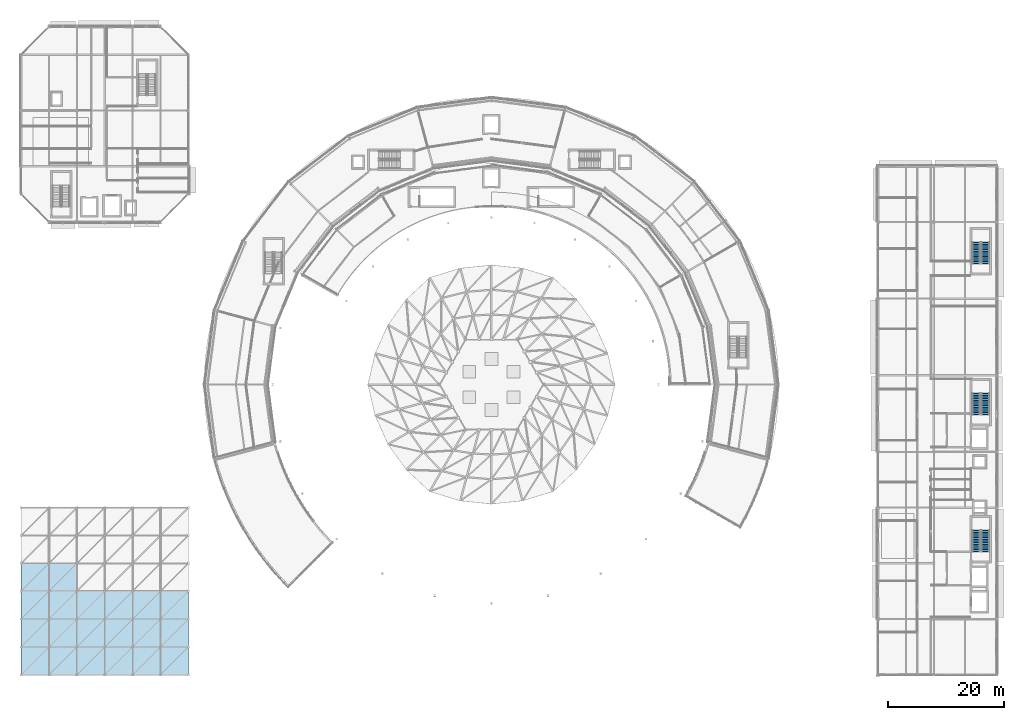
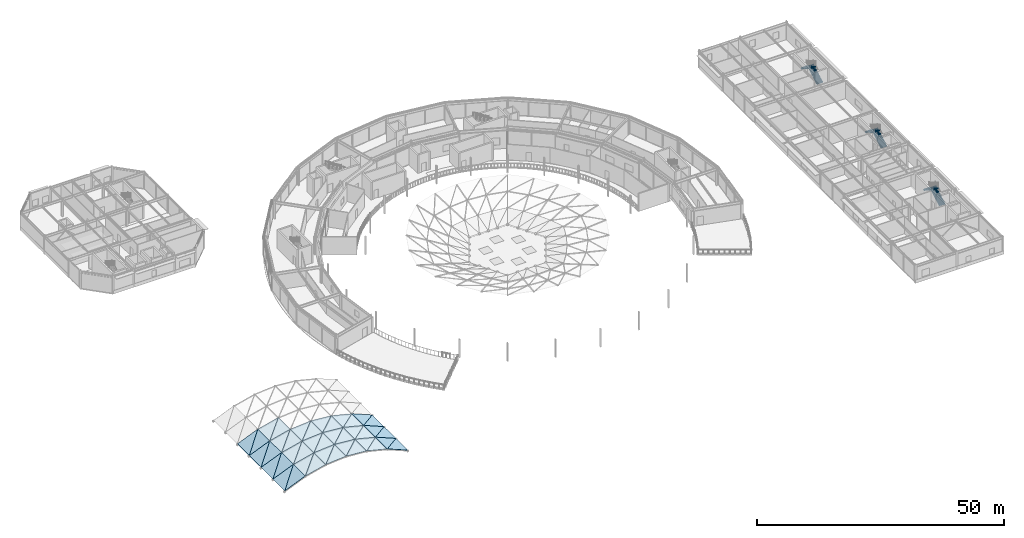
# One storey, part 92 of 116: 40 roofs, 6 stair flights, 3 elements without a shape of their own.
"""IFC4 building model written with IfcOpenShell, lengths in metres."""

from ifc_helpers import new_model, si_unit, direction, frame, origin, place, context, subcontext, project, spatial, polyline, outline, extrude, material, layer, layer_set, type_object, element, aggregate, save


model = new_model("IFC4")

# Units and contexts
model_context = context("Model", 3, precision=1e-05, world=origin(), true_north=direction((0.0, 1.0)))
body_context = subcontext(model_context, "Body", "Model", "MODEL_VIEW")
ifc_project = project(units=[si_unit("LENGTHUNIT", "METRE"), si_unit("AREAUNIT", "SQUARE_METRE"), si_unit("VOLUMEUNIT", "CUBIC_METRE"), si_unit("PLANEANGLEUNIT", "RADIAN"), si_unit("MASSUNIT", "GRAM", prefix="KILO")], contexts=[model_context])

# Site, building, storey
site_placement = place(None, origin())
site = spatial("IfcSite", under=ifc_project, at=site_placement, CompositionType="ELEMENT")
building_placement = place(site_placement, origin())
building = spatial("IfcBuilding", under=site, at=building_placement, Name="Almandine Court Research Institute", CompositionType="ELEMENT")
storey_placement = place(building_placement, frame((0.0, 0.0, 14.35009765625)))
storey = spatial("IfcBuildingStorey", under=building, at=storey_placement, Name="L03", CompositionType="ELEMENT", Elevation=14.35009765625)

# Stair, stair flights
ifc_material_1 = material(Name="Concrete C35/45", Category="concrete")
stair_type = type_object("IfcStairType", Name="Stair-Core-26R", PredefinedType="HALF_TURN_STAIR", material=ifc_material_1)
stair_1_placement = place(storey_placement, origin())
stair_1 = element("IfcStair", 1, at=stair_1_placement, inside=storey, type_object=stair_type, Name="L03 Wet Lab South High-Rise Core Stair", PredefinedType="HALF_TURN_STAIR")
stair_flight_type = type_object("IfcStairFlightType", Name="Flight-Core-26R", PredefinedType="STRAIGHT", material=ifc_material_1)
stair_flight_1_placement = place(storey_placement, frame((172.090087890625, 27.25, 0.0), z_axis=(0.0, 0.0, 1.0), x_axis=(0.0, 1.0, 0.0)))
stair_flight_1 = element("IfcStairFlight", 2, at=stair_flight_1_placement, type_object=stair_flight_type, Name="ST-07 flight 1", NumberOfRisers=13, NumberOfTreads=12, PredefinedType="STRAIGHT", RiserHeight=0.175, TreadLength=0.3, context=body_context, shape_type="SweptSolid", body=[
    extrude(outline(polyline([(-0.080078125, -0.139892578125), (-0.080078125, 0.0), (0.0, 0.0), (0.0, 0.175048828125), (0.300048828125, 0.175048828125), (0.300048828125, 0.35009765625), (0.60009765625, 0.35009765625), (0.60009765625, 0.52490234375), (0.89990234375, 0.52490234375), (0.89990234375, 0.699951171875), (1.199951171875, 0.699951171875), (1.199951171875, 0.875), (1.5, 0.875), (1.5, 1.050048828125), (1.800048828125, 1.050048828125), (1.800048828125, 1.22509765625), (2.10009765625, 1.22509765625), (2.10009765625, 1.39990234375), (2.39990234375, 1.39990234375), (2.39990234375, 1.574951171875), (2.699951171875, 1.574951171875), (2.699951171875, 1.75), (3.0, 1.75), (3.0, 1.925048828125), (3.300048828125, 1.925048828125), (3.300048828125, 2.10009765625), (3.60009765625, 2.10009765625), (3.60009765625, 2.27490234375), (3.679931640625, 2.27490234375), (3.679931640625, 2.114990234375), (3.60009765625, 1.914794921875), (0.3173828125, 0.0), (0.3173828125, -0.139892578125), (-0.080078125, -0.139892578125)])), frame((0.0, 0.7099609375, 0.0), z_axis=(0.0, -1.0, 0.0), x_axis=(1.0, 0.0, 0.0)), (0.0, 0.0, 1.0), 1.419921875),
])
stair_flight_2_placement = place(storey_placement, frame((170.510009765625, 30.85009765625, 2.27490234375), z_axis=(0.0, 0.0, 1.0), x_axis=(0.0, -1.0, 0.0)))
stair_flight_2 = element("IfcStairFlight", 3, at=stair_flight_2_placement, type_object=stair_flight_type, Name="ST-07 flight 2", NumberOfRisers=13, NumberOfTreads=12, PredefinedType="STRAIGHT", RiserHeight=0.175, TreadLength=0.3, context=body_context, shape_type="SweptSolid", body=[
    extrude(outline(polyline([(-0.080078125, -0.139892578125), (-0.080078125, 0.0), (0.0, 0.0), (0.0, 0.175048828125), (0.300048828125, 0.175048828125), (0.300048828125, 0.35009765625), (0.60009765625, 0.35009765625), (0.60009765625, 0.52490234375), (0.89990234375, 0.52490234375), (0.89990234375, 0.699951171875), (1.199951171875, 0.699951171875), (1.199951171875, 0.875), (1.5, 0.875), (1.5, 1.050048828125), (1.800048828125, 1.050048828125), (1.800048828125, 1.22509765625), (2.10009765625, 1.22509765625), (2.10009765625, 1.39990234375), (2.39990234375, 1.39990234375), (2.39990234375, 1.574951171875), (2.699951171875, 1.574951171875), (2.699951171875, 1.75), (3.0, 1.75), (3.0, 1.925048828125), (3.300048828125, 1.925048828125), (3.300048828125, 2.10009765625), (3.60009765625, 2.10009765625), (3.60009765625, 2.27490234375), (3.679931640625, 2.27490234375), (3.679931640625, 2.114990234375), (3.60009765625, 1.914794921875), (0.3173828125, 0.0), (0.3173828125, -0.139892578125), (-0.080078125, -0.139892578125)])), frame((0.0, 0.7099609375, 0.0), z_axis=(0.0, -1.0, 0.0), x_axis=(1.0, 0.0, 0.0)), (0.0, 0.0, 1.0), 1.419921875),
])
aggregate(stair_1, [stair_flight_1, stair_flight_2])

stair_2_placement = place(storey_placement, origin())
stair_2 = element("IfcStair", 4, at=stair_2_placement, inside=storey, type_object=stair_type, Name="L03 Wet Lab Central High-Rise Core Stair", PredefinedType="HALF_TURN_STAIR")
stair_flight_3_placement = place(storey_placement, frame((172.090087890625, 50.85009765625, 0.0), z_axis=(0.0, 0.0, 1.0), x_axis=(0.0, 1.0, 0.0)))
stair_flight_3 = element("IfcStairFlight", 5, at=stair_flight_3_placement, type_object=stair_flight_type, Name="ST-08 flight 1", NumberOfRisers=13, NumberOfTreads=12, PredefinedType="STRAIGHT", RiserHeight=0.175, TreadLength=0.3, context=body_context, shape_type="SweptSolid", body=[
    extrude(outline(polyline([(-0.080078125, -0.139892578125), (-0.080078125, 0.0), (0.0, 0.0), (0.0, 0.175048828125), (0.300048828125, 0.175048828125), (0.300048828125, 0.35009765625), (0.60009765625, 0.35009765625), (0.60009765625, 0.52490234375), (0.89990234375, 0.52490234375), (0.89990234375, 0.699951171875), (1.199951171875, 0.699951171875), (1.199951171875, 0.875), (1.5, 0.875), (1.5, 1.050048828125), (1.800048828125, 1.050048828125), (1.800048828125, 1.22509765625), (2.10009765625, 1.22509765625), (2.10009765625, 1.39990234375), (2.39990234375, 1.39990234375), (2.39990234375, 1.574951171875), (2.699951171875, 1.574951171875), (2.699951171875, 1.75), (3.0, 1.75), (3.0, 1.925048828125), (3.300048828125, 1.925048828125), (3.300048828125, 2.10009765625), (3.60009765625, 2.10009765625), (3.60009765625, 2.27490234375), (3.679931640625, 2.27490234375), (3.679931640625, 2.114990234375), (3.60009765625, 1.914794921875), (0.3173828125, 0.0), (0.3173828125, -0.139892578125), (-0.080078125, -0.139892578125)])), frame((0.0, 0.7099609375, 0.0), z_axis=(0.0, -1.0, 0.0), x_axis=(1.0, 0.0, 0.0)), (0.0, 0.0, 1.0), 1.419921875),
])
stair_flight_4_placement = place(storey_placement, frame((170.510009765625, 54.449951171875, 2.27490234375), z_axis=(0.0, 0.0, 1.0), x_axis=(0.0, -1.0, 0.0)))
stair_flight_4 = element("IfcStairFlight", 6, at=stair_flight_4_placement, type_object=stair_flight_type, Name="ST-08 flight 2", NumberOfRisers=13, NumberOfTreads=12, PredefinedType="STRAIGHT", RiserHeight=0.175, TreadLength=0.3, context=body_context, shape_type="SweptSolid", body=[
    extrude(outline(polyline([(-0.080078125, -0.139892578125), (-0.080078125, 0.0), (0.0, 0.0), (0.0, 0.175048828125), (0.300048828125, 0.175048828125), (0.300048828125, 0.35009765625), (0.60009765625, 0.35009765625), (0.60009765625, 0.52490234375), (0.89990234375, 0.52490234375), (0.89990234375, 0.699951171875), (1.199951171875, 0.699951171875), (1.199951171875, 0.875), (1.5, 0.875), (1.5, 1.050048828125), (1.800048828125, 1.050048828125), (1.800048828125, 1.22509765625), (2.10009765625, 1.22509765625), (2.10009765625, 1.39990234375), (2.39990234375, 1.39990234375), (2.39990234375, 1.574951171875), (2.699951171875, 1.574951171875), (2.699951171875, 1.75), (3.0, 1.75), (3.0, 1.925048828125), (3.300048828125, 1.925048828125), (3.300048828125, 2.10009765625), (3.60009765625, 2.10009765625), (3.60009765625, 2.27490234375), (3.679931640625, 2.27490234375), (3.679931640625, 2.114990234375), (3.60009765625, 1.914794921875), (0.3173828125, 0.0), (0.3173828125, -0.139892578125), (-0.080078125, -0.139892578125)])), frame((0.0, 0.7099609375, 0.0), z_axis=(0.0, -1.0, 0.0), x_axis=(1.0, 0.0, 0.0)), (0.0, 0.0, 1.0), 1.419921875),
])
aggregate(stair_2, [stair_flight_3, stair_flight_4])

stair_3_placement = place(storey_placement, origin())
stair_3 = element("IfcStair", 7, at=stair_3_placement, inside=storey, type_object=stair_type, Name="L03 Wet Lab North Exit Stair", PredefinedType="HALF_TURN_STAIR")
stair_flight_5_placement = place(storey_placement, frame((172.090087890625, 76.85009765625, 0.0), z_axis=(0.0, 0.0, 1.0), x_axis=(0.0, 1.0, 0.0)))
stair_flight_5 = element("IfcStairFlight", 8, at=stair_flight_5_placement, type_object=stair_flight_type, Name="ST-13 flight 1", NumberOfRisers=13, NumberOfTreads=12, PredefinedType="STRAIGHT", RiserHeight=0.175, TreadLength=0.3, context=body_context, shape_type="SweptSolid", body=[
    extrude(outline(polyline([(-0.080078125, -0.139892578125), (-0.080078125, 0.0), (0.0, 0.0), (0.0, 0.175048828125), (0.300048828125, 0.175048828125), (0.300048828125, 0.35009765625), (0.60009765625, 0.35009765625), (0.60009765625, 0.52490234375), (0.89990234375, 0.52490234375), (0.89990234375, 0.699951171875), (1.199951171875, 0.699951171875), (1.199951171875, 0.875), (1.5, 0.875), (1.5, 1.050048828125), (1.800048828125, 1.050048828125), (1.800048828125, 1.22509765625), (2.10009765625, 1.22509765625), (2.10009765625, 1.39990234375), (2.39990234375, 1.39990234375), (2.39990234375, 1.574951171875), (2.699951171875, 1.574951171875), (2.699951171875, 1.75), (3.0, 1.75), (3.0, 1.925048828125), (3.300048828125, 1.925048828125), (3.300048828125, 2.10009765625), (3.60009765625, 2.10009765625), (3.60009765625, 2.27490234375), (3.679931640625, 2.27490234375), (3.679931640625, 2.114990234375), (3.60009765625, 1.914794921875), (0.3173828125, 0.0), (0.3173828125, -0.139892578125), (-0.080078125, -0.139892578125)])), frame((0.0, 0.7099609375, 0.0), z_axis=(0.0, -1.0, 0.0), x_axis=(1.0, 0.0, 0.0)), (0.0, 0.0, 1.0), 1.419921875),
])
stair_flight_6_placement = place(storey_placement, frame((170.510009765625, 80.449951171875, 2.27490234375), z_axis=(0.0, 0.0, 1.0), x_axis=(0.0, -1.0, 0.0)))
stair_flight_6 = element("IfcStairFlight", 9, at=stair_flight_6_placement, type_object=stair_flight_type, Name="ST-13 flight 2", NumberOfRisers=13, NumberOfTreads=12, PredefinedType="STRAIGHT", RiserHeight=0.175, TreadLength=0.3, context=body_context, shape_type="SweptSolid", body=[
    extrude(outline(polyline([(-0.080078125, -0.139892578125), (-0.080078125, 0.0), (0.0, 0.0), (0.0, 0.175048828125), (0.300048828125, 0.175048828125), (0.300048828125, 0.35009765625), (0.60009765625, 0.35009765625), (0.60009765625, 0.52490234375), (0.89990234375, 0.52490234375), (0.89990234375, 0.699951171875), (1.199951171875, 0.699951171875), (1.199951171875, 0.875), (1.5, 0.875), (1.5, 1.050048828125), (1.800048828125, 1.050048828125), (1.800048828125, 1.22509765625), (2.10009765625, 1.22509765625), (2.10009765625, 1.39990234375), (2.39990234375, 1.39990234375), (2.39990234375, 1.574951171875), (2.699951171875, 1.574951171875), (2.699951171875, 1.75), (3.0, 1.75), (3.0, 1.925048828125), (3.300048828125, 1.925048828125), (3.300048828125, 2.10009765625), (3.60009765625, 2.10009765625), (3.60009765625, 2.27490234375), (3.679931640625, 2.27490234375), (3.679931640625, 2.114990234375), (3.60009765625, 1.914794921875), (0.3173828125, 0.0), (0.3173828125, -0.139892578125), (-0.080078125, -0.139892578125)])), frame((0.0, 0.7099609375, 0.0), z_axis=(0.0, -1.0, 0.0), x_axis=(1.0, 0.0, 0.0)), (0.0, 0.0, 1.0), 1.419921875),
])
aggregate(stair_3, [stair_flight_5, stair_flight_6])

# Roofs
ifc_material_2 = material(Name="Insulated Standing-Seam Acoustic Metal Roof Deck")
ifc_layer = layer(ifc_material_2, 0.090087890625)
ifc_layer_set = layer_set([ifc_layer], Name="Insulated Standing-Seam Acoustic Metal Roof Deck")
roof_type = type_object("IfcRoofType", Name="Roof-VT-Facet", PredefinedType="PAVILION_ROOF", material=ifc_layer_set)
roof_1_placement = place(storey_placement, frame((6.0, 6.0, 0.164794921875), z_axis=(-0.384612050905, 0.0, 0.923078312116), x_axis=(0.923078312116, 0.0, 0.384612050905)))
element("IfcRoof", 10, at=roof_1_placement, inside=storey, type_object=roof_type, Name="Lecture Vaulted Gridshell Roof Facet 0-0-1", PredefinedType="PAVILION_ROOF", context=body_context, shape_type="SweptSolid", body=[
    extrude(outline(polyline([(0.0, 0.0), (5.2000450721492975, 0.0), (5.2000450721492975, 4.800048828125), (0.0, 0.0)])), origin(), (0.0, 0.0, -1.0), 0.090087890625),
])
roof_2_placement = place(storey_placement, frame((6.0, 6.0, 0.164794921875), z_axis=(-0.384612050905, 0.0, 0.923078312116), x_axis=(0.678280653829, 0.678280653829, 0.282614064197)))
element("IfcRoof", 11, at=roof_2_placement, inside=storey, type_object=roof_type, Name="Lecture Vaulted Gridshell Roof Facet 0-0-2", PredefinedType="PAVILION_ROOF", context=body_context, shape_type="SweptSolid", body=[
    extrude(outline(polyline([(0.0, 0.0), (7.076788643499845, 1.1102230246251565e-16), (3.2557802575532993, 3.527089971479372), (0.0, 0.0)])), origin(), (0.0, 0.0, -1.0), 0.090087890625),
])
roof_3_placement = place(storey_placement, frame((6.0, 10.800048828125, 0.164794921875), z_axis=(-0.384612050905, 0.0, 0.923078312116), x_axis=(0.923078312116, 0.0, 0.384612050905)))
element("IfcRoof", 12, at=roof_3_placement, inside=storey, type_object=roof_type, Name="Lecture Vaulted Gridshell Roof Facet 0-1-1", PredefinedType="PAVILION_ROOF", context=body_context, shape_type="SweptSolid", body=[
    extrude(outline(polyline([(0.0, 0.0), (5.2000450721492975, 0.0), (5.2000450721492975, 4.800048828125), (0.0, 0.0)])), origin(), (0.0, 0.0, -1.0), 0.090087890625),
])
roof_4_placement = place(storey_placement, frame((6.0, 10.800048828125, 0.164794921875), z_axis=(-0.384612050905, 0.0, 0.923078312116), x_axis=(0.678280653829, 0.678280653829, 0.282614064197)))
element("IfcRoof", 13, at=roof_4_placement, inside=storey, type_object=roof_type, Name="Lecture Vaulted Gridshell Roof Facet 0-1-2", PredefinedType="PAVILION_ROOF", context=body_context, shape_type="SweptSolid", body=[
    extrude(outline(polyline([(0.0, 0.0), (7.076788643499845, 1.1102230246251565e-16), (3.2557802575532993, 3.527089971479372), (0.0, 0.0)])), origin(), (0.0, 0.0, -1.0), 0.090087890625),
])
roof_5_placement = place(storey_placement, frame((6.0, 15.60009765625, 0.164794921875), z_axis=(-0.384612050905, 0.0, 0.923078312116), x_axis=(0.923078312116, 0.0, 0.384612050905)))
element("IfcRoof", 14, at=roof_5_placement, inside=storey, type_object=roof_type, Name="Lecture Vaulted Gridshell Roof Facet 0-2-1", PredefinedType="PAVILION_ROOF", context=body_context, shape_type="SweptSolid", body=[
    extrude(outline(polyline([(0.0, 0.0), (5.2000450721492975, 0.0), (5.2000450721492975, 4.799804687500001), (0.0, 0.0)])), origin(), (0.0, 0.0, -1.0), 0.090087890625),
])
roof_6_placement = place(storey_placement, frame((6.0, 15.60009765625, 0.164794921875), z_axis=(-0.384612050905, 0.0, 0.923078312116), x_axis=(0.678296525655, 0.678262026061, 0.28262067739)))
element("IfcRoof", 15, at=roof_6_placement, inside=storey, type_object=roof_type, Name="Lecture Vaulted Gridshell Roof Facet 0-2-2", PredefinedType="PAVILION_ROOF", context=body_context, shape_type="SweptSolid", body=[
    extrude(outline(polyline([(0.0, 0.0), (7.076623049910964, -2.220446049250313e-16), (3.2555252520390825, 3.5269931062426028), (0.0, 0.0)])), origin(), (0.0, 0.0, -1.0), 0.090087890625),
])
roof_7_placement = place(storey_placement, frame((6.0, 20.39990234375, 0.164794921875), z_axis=(-0.384612050905, 0.0, 0.923078312116), x_axis=(0.923078312116, 0.0, 0.384612050905)))
element("IfcRoof", 16, at=roof_7_placement, inside=storey, type_object=roof_type, Name="Lecture Vaulted Gridshell Roof Facet 0-3-1", PredefinedType="PAVILION_ROOF", context=body_context, shape_type="SweptSolid", body=[
    extrude(outline(polyline([(0.0, 0.0), (5.2000450721492975, 0.0), (5.2000450721492975, 4.800048828125), (0.0, 0.0)])), origin(), (0.0, 0.0, -1.0), 0.090087890625),
])
roof_8_placement = place(storey_placement, frame((6.0, 20.39990234375, 0.164794921875), z_axis=(-0.384612050905, 0.0, 0.923078312116), x_axis=(0.678280653829, 0.678280653829, 0.282614064197)))
element("IfcRoof", 17, at=roof_8_placement, inside=storey, type_object=roof_type, Name="Lecture Vaulted Gridshell Roof Facet 0-3-2", PredefinedType="PAVILION_ROOF", context=body_context, shape_type="SweptSolid", body=[
    extrude(outline(polyline([(0.0, 0.0), (7.076788643499845, 1.1102230246251565e-16), (3.2557802575532993, 3.527089971479372), (0.0, 0.0)])), origin(), (0.0, 0.0, -1.0), 0.090087890625),
])
roof_9_placement = place(storey_placement, frame((10.800048828125, 6.0, 2.164794921875), z_axis=(-0.242570455271, 0.0, 0.970133791922), x_axis=(0.970133791922, 0.0, 0.242570455271)))
element("IfcRoof", 18, at=roof_9_placement, inside=storey, type_object=roof_type, Name="Lecture Vaulted Gridshell Roof Facet 1-0-1", PredefinedType="PAVILION_ROOF", context=body_context, shape_type="SweptSolid", body=[
    extrude(outline(polyline([(0.0, 0.0), (4.947821494408539, 0.0), (4.947821494408539, 4.800048828124999), (0.0, 0.0)])), origin(), (0.0, 0.0, -1.0), 0.090087890625),
])
roof_10_placement = place(storey_placement, frame((10.800048828125, 6.0, 2.164794921875), z_axis=(-0.242570455271, 0.0, 0.970133791922), x_axis=(0.696307403979, 0.696307403979, 0.174103412744)))
element("IfcRoof", 19, at=roof_10_placement, inside=storey, type_object=roof_type, Name="Lecture Vaulted Gridshell Roof Facet 1-0-2", PredefinedType="PAVILION_ROOF", context=body_context, shape_type="SweptSolid", body=[
    extrude(outline(polyline([(0.0, 0.0), (6.893577176830282, 8.326672684688674e-17), (3.342309538482366, 3.445204740121257), (0.0, 0.0)])), origin(), (0.0, 0.0, -1.0), 0.090087890625),
])
roof_11_placement = place(storey_placement, frame((10.800048828125, 10.800048828125, 2.164794921875), z_axis=(-0.242570455271, 0.0, 0.970133791922), x_axis=(0.970133791922, 0.0, 0.242570455271)))
element("IfcRoof", 20, at=roof_11_placement, inside=storey, type_object=roof_type, Name="Lecture Vaulted Gridshell Roof Facet 1-1-1", PredefinedType="PAVILION_ROOF", context=body_context, shape_type="SweptSolid", body=[
    extrude(outline(polyline([(0.0, 0.0), (4.947821494408539, 0.0), (4.947821494408539, 4.800048828124999), (0.0, 0.0)])), origin(), (0.0, 0.0, -1.0), 0.090087890625),
])
roof_12_placement = place(storey_placement, frame((10.800048828125, 10.800048828125, 2.164794921875), z_axis=(-0.242570455271, 0.0, 0.970133791922), x_axis=(0.696307403979, 0.696307403979, 0.174103412744)))
element("IfcRoof", 21, at=roof_12_placement, inside=storey, type_object=roof_type, Name="Lecture Vaulted Gridshell Roof Facet 1-1-2", PredefinedType="PAVILION_ROOF", context=body_context, shape_type="SweptSolid", body=[
    extrude(outline(polyline([(0.0, 0.0), (6.893577176830282, 8.326672684688674e-17), (3.342309538482366, 3.445204740121257), (0.0, 0.0)])), origin(), (0.0, 0.0, -1.0), 0.090087890625),
])
roof_13_placement = place(storey_placement, frame((10.800048828125, 15.60009765625, 2.164794921875), z_axis=(-0.242570455271, 0.0, 0.970133791922), x_axis=(0.970133791922, 0.0, 0.242570455271)))
element("IfcRoof", 22, at=roof_13_placement, inside=storey, type_object=roof_type, Name="Lecture Vaulted Gridshell Roof Facet 1-2-1", PredefinedType="PAVILION_ROOF", context=body_context, shape_type="SweptSolid", body=[
    extrude(outline(polyline([(0.0, 0.0), (4.947821494408539, 0.0), (4.947821494408539, 4.7998046875), (0.0, 0.0)])), origin(), (0.0, 0.0, -1.0), 0.090087890625),
])
roof_14_placement = place(storey_placement, frame((10.800048828125, 15.60009765625, 2.164794921875), z_axis=(-0.242570455271, 0.0, 0.970133791922), x_axis=(0.69632457525, 0.696289158711, 0.174107706217)))
element("IfcRoof", 23, at=roof_14_placement, inside=storey, type_object=roof_type, Name="Lecture Vaulted Gridshell Roof Facet 1-2-2", PredefinedType="PAVILION_ROOF", context=body_context, shape_type="SweptSolid", body=[
    extrude(outline(polyline([(0.0, 0.0), (6.893407182132659, -2.7755575615628914e-17), (3.3420519678368272, 3.4451144657942736), (0.0, 0.0)])), origin(), (0.0, 0.0, -1.0), 0.090087890625),
])
roof_15_placement = place(storey_placement, frame((10.800048828125, 20.39990234375, 2.164794921875), z_axis=(-0.242570455271, 0.0, 0.970133791922), x_axis=(0.970133791922, 0.0, 0.242570455271)))
element("IfcRoof", 24, at=roof_15_placement, inside=storey, type_object=roof_type, Name="Lecture Vaulted Gridshell Roof Facet 1-3-1", PredefinedType="PAVILION_ROOF", context=body_context, shape_type="SweptSolid", body=[
    extrude(outline(polyline([(0.0, 0.0), (4.947821494408539, 0.0), (4.947821494408539, 4.800048828124999), (0.0, 0.0)])), origin(), (0.0, 0.0, -1.0), 0.090087890625),
])
roof_16_placement = place(storey_placement, frame((10.800048828125, 20.39990234375, 2.164794921875), z_axis=(-0.242570455271, 0.0, 0.970133791922), x_axis=(0.696307403979, 0.696307403979, 0.174103412744)))
element("IfcRoof", 25, at=roof_16_placement, inside=storey, type_object=roof_type, Name="Lecture Vaulted Gridshell Roof Facet 1-3-2", PredefinedType="PAVILION_ROOF", context=body_context, shape_type="SweptSolid", body=[
    extrude(outline(polyline([(0.0, 0.0), (6.893577176830282, 8.326672684688674e-17), (3.342309538482366, 3.445204740121257), (0.0, 0.0)])), origin(), (0.0, 0.0, -1.0), 0.090087890625),
])
roof_17_placement = place(storey_placement, frame((15.60009765625, 6.0, 3.364990234375), z_axis=(-0.083028700011, 0.0, 0.996547156423), x_axis=(0.996547156423, 0.0, 0.083028700011)))
element("IfcRoof", 26, at=roof_17_placement, inside=storey, type_object=roof_type, Name="Lecture Vaulted Gridshell Roof Facet 2-0-1", PredefinedType="PAVILION_ROOF", context=body_context, shape_type="SweptSolid", body=[
    extrude(outline(polyline([(0.0, 0.0), (4.816435084446142, 0.0), (4.816435084446142, 4.800048828125001), (0.0, 0.0)])), origin(), (0.0, 0.0, -1.0), 0.090087890625),
])
roof_18_placement = place(storey_placement, frame((15.60009765625, 6.0, 3.364990234375), z_axis=(-0.083028700011, 0.0, 0.996547156423), x_axis=(0.705864959898, 0.705900863507, 0.058810112122)))
element("IfcRoof", 27, at=roof_18_placement, inside=storey, type_object=roof_type, Name="Lecture Vaulted Gridshell Roof Facet 2-0-2", PredefinedType="PAVILION_ROOF", context=body_context, shape_type="SweptSolid", body=[
    extrude(outline(polyline([(0.0, 0.0), (6.799890857584989, 2.255140518769849e-16), (3.3883586126508973, 3.399925685137645), (0.0, 0.0)])), origin(), (0.0, 0.0, -1.0), 0.090087890625),
])
roof_19_placement = place(storey_placement, frame((15.60009765625, 10.800048828125, 3.364990234375), z_axis=(-0.083028700011, 0.0, 0.996547156423), x_axis=(0.996547156423, 0.0, 0.083028700011)))
element("IfcRoof", 28, at=roof_19_placement, inside=storey, type_object=roof_type, Name="Lecture Vaulted Gridshell Roof Facet 2-1-1", PredefinedType="PAVILION_ROOF", context=body_context, shape_type="SweptSolid", body=[
    extrude(outline(polyline([(0.0, 0.0), (4.816435084446142, 0.0), (4.816435084446142, 4.800048828125001), (0.0, 0.0)])), origin(), (0.0, 0.0, -1.0), 0.090087890625),
])
roof_20_placement = place(storey_placement, frame((15.60009765625, 10.800048828125, 3.364990234375), z_axis=(-0.083028700011, 0.0, 0.996547156423), x_axis=(0.705864959898, 0.705900863507, 0.058810112122)))
element("IfcRoof", 29, at=roof_20_placement, inside=storey, type_object=roof_type, Name="Lecture Vaulted Gridshell Roof Facet 2-1-2", PredefinedType="PAVILION_ROOF", context=body_context, shape_type="SweptSolid", body=[
    extrude(outline(polyline([(0.0, 0.0), (6.799890857584989, 2.255140518769849e-16), (3.3883586126508973, 3.399925685137645), (0.0, 0.0)])), origin(), (0.0, 0.0, -1.0), 0.090087890625),
])
roof_21_placement = place(storey_placement, frame((15.60009765625, 15.60009765625, 3.364990234375), z_axis=(-0.083028700011, 0.0, 0.996547156423), x_axis=(0.996547156423, 0.0, 0.083028700011)))
element("IfcRoof", 30, at=roof_21_placement, inside=storey, type_object=roof_type, Name="Lecture Vaulted Gridshell Roof Facet 2-2-1", PredefinedType="PAVILION_ROOF", context=body_context, shape_type="SweptSolid", body=[
    extrude(outline(polyline([(0.0, 0.0), (4.816435084446142, 0.0), (4.816435084446142, 4.7998046875), (0.0, 0.0)])), origin(), (0.0, 0.0, -1.0), 0.090087890625),
])
roof_22_placement = place(storey_placement, frame((15.60009765625, 15.60009765625, 3.364990234375), z_axis=(-0.083028700011, 0.0, 0.996547156423), x_axis=(0.705882849839, 0.705882849839, 0.058811602647)))
element("IfcRoof", 31, at=roof_22_placement, inside=storey, type_object=roof_type, Name="Lecture Vaulted Gridshell Roof Facet 2-2-2", PredefinedType="PAVILION_ROOF", context=body_context, shape_type="SweptSolid", body=[
    extrude(outline(polyline([(0.0, 0.0), (6.7997185207058894, 4.579669976578771e-16), (3.3880998114838654, 3.3998389234741646), (0.0, 0.0)])), origin(), (0.0, 0.0, -1.0), 0.090087890625),
])
roof_23_placement = place(storey_placement, frame((20.39990234375, 6.0, 3.764892578125), z_axis=(0.083024506106, 0.0, 0.996547505835), x_axis=(0.996547505835, 0.0, -0.083024506106)))
element("IfcRoof", 32, at=roof_23_placement, inside=storey, type_object=roof_type, Name="Lecture Vaulted Gridshell Roof Facet 3-0-1", PredefinedType="PAVILION_ROOF", context=body_context, shape_type="SweptSolid", body=[
    extrude(outline(polyline([(0.0, 0.0), (4.816678382134407, 0.0), (4.816678382134407, 4.800048828125), (0.0, 0.0)])), origin(), (0.0, 0.0, -1.0), 0.090087890625),
])
roof_24_placement = place(storey_placement, frame((20.39990234375, 6.0, 3.764892578125), z_axis=(0.083024506106, 0.0, 0.996547505835), x_axis=(0.705882974016, 0.705882974016, -0.05880862171)))
element("IfcRoof", 33, at=roof_24_placement, inside=storey, type_object=roof_type, Name="Lecture Vaulted Gridshell Roof Facet 3-0-2", PredefinedType="PAVILION_ROOF", context=body_context, shape_type="SweptSolid", body=[
    extrude(outline(polyline([(0.0, 0.0), (6.80006319009648, 1.700029006457271e-16), (3.3882727422209857, 3.4000112612617133), (0.0, 0.0)])), origin(), (0.0, 0.0, -1.0), 0.090087890625),
])
roof_25_placement = place(storey_placement, frame((20.39990234375, 10.800048828125, 3.764892578125), z_axis=(0.083024506106, 0.0, 0.996547505835), x_axis=(0.996547505835, 0.0, -0.083024506106)))
element("IfcRoof", 34, at=roof_25_placement, inside=storey, type_object=roof_type, Name="Lecture Vaulted Gridshell Roof Facet 3-1-1", PredefinedType="PAVILION_ROOF", context=body_context, shape_type="SweptSolid", body=[
    extrude(outline(polyline([(0.0, 0.0), (4.816678382134407, 0.0), (4.816678382134407, 4.800048828125), (0.0, 0.0)])), origin(), (0.0, 0.0, -1.0), 0.090087890625),
])
roof_26_placement = place(storey_placement, frame((20.39990234375, 10.800048828125, 3.764892578125), z_axis=(0.083024506106, 0.0, 0.996547505835), x_axis=(0.705882974016, 0.705882974016, -0.05880862171)))
element("IfcRoof", 35, at=roof_26_placement, inside=storey, type_object=roof_type, Name="Lecture Vaulted Gridshell Roof Facet 3-1-2", PredefinedType="PAVILION_ROOF", context=body_context, shape_type="SweptSolid", body=[
    extrude(outline(polyline([(0.0, 0.0), (6.80006319009648, 1.700029006457271e-16), (3.3882727422209857, 3.4000112612617133), (0.0, 0.0)])), origin(), (0.0, 0.0, -1.0), 0.090087890625),
])
roof_27_placement = place(storey_placement, frame((20.39990234375, 15.60009765625, 3.764892578125), z_axis=(0.083024506106, 0.0, 0.996547505835), x_axis=(0.996547505835, 0.0, -0.083024506106)))
element("IfcRoof", 36, at=roof_27_placement, inside=storey, type_object=roof_type, Name="Lecture Vaulted Gridshell Roof Facet 3-2-1", PredefinedType="PAVILION_ROOF", context=body_context, shape_type="SweptSolid", body=[
    extrude(outline(polyline([(0.0, 0.0), (4.816678382134407, 0.0), (4.816678382134407, 4.7998046875), (0.0, 0.0)])), origin(), (0.0, 0.0, -1.0), 0.090087890625),
])
roof_28_placement = place(storey_placement, frame((20.39990234375, 15.60009765625, 3.764892578125), z_axis=(0.083024506106, 0.0, 0.996547505835), x_axis=(0.705900863507, 0.705864959898, -0.058810112122)))
element("IfcRoof", 37, at=roof_28_placement, inside=storey, type_object=roof_type, Name="Lecture Vaulted Gridshell Roof Facet 3-2-2", PredefinedType="PAVILION_ROOF", context=body_context, shape_type="SweptSolid", body=[
    extrude(outline(polyline([(0.0, 0.0), (6.799890857584989, -7.979727989493313e-16), (3.3880139432604173, 3.3999244930468637), (0.0, 0.0)])), origin(), (0.0, 0.0, -1.0), 0.090087890625),
])
roof_29_placement = place(storey_placement, frame((25.199951171875, 6.0, 3.364990234375), z_axis=(0.242570455271, 0.0, 0.970133791922), x_axis=(0.970133791922, 0.0, -0.242570455271)))
element("IfcRoof", 38, at=roof_29_placement, inside=storey, type_object=roof_type, Name="Lecture Vaulted Gridshell Roof Facet 4-0-1", PredefinedType="PAVILION_ROOF", context=body_context, shape_type="SweptSolid", body=[
    extrude(outline(polyline([(0.0, 0.0), (4.947821494408539, 0.0), (4.947821494408539, 4.800048828124999), (0.0, 0.0)])), origin(), (0.0, 0.0, -1.0), 0.090087890625),
])
roof_30_placement = place(storey_placement, frame((25.199951171875, 6.0, 3.364990234375), z_axis=(0.242570455271, 0.0, 0.970133791922), x_axis=(0.696307403979, 0.696307403979, -0.174103412744)))
element("IfcRoof", 39, at=roof_30_placement, inside=storey, type_object=roof_type, Name="Lecture Vaulted Gridshell Roof Facet 4-0-2", PredefinedType="PAVILION_ROOF", context=body_context, shape_type="SweptSolid", body=[
    extrude(outline(polyline([(0.0, 0.0), (6.893577176830282, 8.326672684688674e-17), (3.342309538482366, 3.445204740121257), (0.0, 0.0)])), origin(), (0.0, 0.0, -1.0), 0.090087890625),
])
roof_31_placement = place(storey_placement, frame((25.199951171875, 10.800048828125, 3.364990234375), z_axis=(0.242570455271, 0.0, 0.970133791922), x_axis=(0.970133791922, 0.0, -0.242570455271)))
element("IfcRoof", 40, at=roof_31_placement, inside=storey, type_object=roof_type, Name="Lecture Vaulted Gridshell Roof Facet 4-1-1", PredefinedType="PAVILION_ROOF", context=body_context, shape_type="SweptSolid", body=[
    extrude(outline(polyline([(0.0, 0.0), (4.947821494408539, 0.0), (4.947821494408539, 4.800048828124999), (0.0, 0.0)])), origin(), (0.0, 0.0, -1.0), 0.090087890625),
])
roof_32_placement = place(storey_placement, frame((25.199951171875, 10.800048828125, 3.364990234375), z_axis=(0.242570455271, 0.0, 0.970133791922), x_axis=(0.696307403979, 0.696307403979, -0.174103412744)))
element("IfcRoof", 41, at=roof_32_placement, inside=storey, type_object=roof_type, Name="Lecture Vaulted Gridshell Roof Facet 4-1-2", PredefinedType="PAVILION_ROOF", context=body_context, shape_type="SweptSolid", body=[
    extrude(outline(polyline([(0.0, 0.0), (6.893577176830282, 8.326672684688674e-17), (3.342309538482366, 3.445204740121257), (0.0, 0.0)])), origin(), (0.0, 0.0, -1.0), 0.090087890625),
])
roof_33_placement = place(storey_placement, frame((25.199951171875, 15.60009765625, 3.364990234375), z_axis=(0.242570455271, 0.0, 0.970133791922), x_axis=(0.970133791922, 0.0, -0.242570455271)))
element("IfcRoof", 42, at=roof_33_placement, inside=storey, type_object=roof_type, Name="Lecture Vaulted Gridshell Roof Facet 4-2-1", PredefinedType="PAVILION_ROOF", context=body_context, shape_type="SweptSolid", body=[
    extrude(outline(polyline([(0.0, 0.0), (4.947821494408539, 0.0), (4.947821494408539, 4.7998046875), (0.0, 0.0)])), origin(), (0.0, 0.0, -1.0), 0.090087890625),
])
roof_34_placement = place(storey_placement, frame((25.199951171875, 15.60009765625, 3.364990234375), z_axis=(0.242570455271, 0.0, 0.970133791922), x_axis=(0.69632457525, 0.696289158711, -0.174107706217)))
element("IfcRoof", 43, at=roof_34_placement, inside=storey, type_object=roof_type, Name="Lecture Vaulted Gridshell Roof Facet 4-2-2", PredefinedType="PAVILION_ROOF", context=body_context, shape_type="SweptSolid", body=[
    extrude(outline(polyline([(0.0, 0.0), (6.893407182132659, -2.7755575615628914e-17), (3.3420519678368272, 3.4451144657942736), (0.0, 0.0)])), origin(), (0.0, 0.0, -1.0), 0.090087890625),
])
roof_35_placement = place(storey_placement, frame((30.0, 6.0, 2.164794921875), z_axis=(0.384612050905, 0.0, 0.923078312116), x_axis=(0.923078312116, 0.0, -0.384612050905)))
element("IfcRoof", 44, at=roof_35_placement, inside=storey, type_object=roof_type, Name="Lecture Vaulted Gridshell Roof Facet 5-0-1", PredefinedType="PAVILION_ROOF", context=body_context, shape_type="SweptSolid", body=[
    extrude(outline(polyline([(0.0, 0.0), (5.2000450721492975, 0.0), (5.2000450721492975, 4.800048828125), (0.0, 0.0)])), origin(), (0.0, 0.0, -1.0), 0.090087890625),
])
roof_36_placement = place(storey_placement, frame((30.0, 6.0, 2.164794921875), z_axis=(0.384612050905, 0.0, 0.923078312116), x_axis=(0.678280653829, 0.678280653829, -0.282614064197)))
element("IfcRoof", 45, at=roof_36_placement, inside=storey, type_object=roof_type, Name="Lecture Vaulted Gridshell Roof Facet 5-0-2", PredefinedType="PAVILION_ROOF", context=body_context, shape_type="SweptSolid", body=[
    extrude(outline(polyline([(0.0, 0.0), (7.076788643499845, 1.1102230246251565e-16), (3.2557802575532993, 3.527089971479372), (0.0, 0.0)])), origin(), (0.0, 0.0, -1.0), 0.090087890625),
])
roof_37_placement = place(storey_placement, frame((30.0, 10.800048828125, 2.164794921875), z_axis=(0.384612050905, 0.0, 0.923078312116), x_axis=(0.923078312116, 0.0, -0.384612050905)))
element("IfcRoof", 46, at=roof_37_placement, inside=storey, type_object=roof_type, Name="Lecture Vaulted Gridshell Roof Facet 5-1-1", PredefinedType="PAVILION_ROOF", context=body_context, shape_type="SweptSolid", body=[
    extrude(outline(polyline([(0.0, 0.0), (5.2000450721492975, 0.0), (5.2000450721492975, 4.800048828125), (0.0, 0.0)])), origin(), (0.0, 0.0, -1.0), 0.090087890625),
])
roof_38_placement = place(storey_placement, frame((30.0, 10.800048828125, 2.164794921875), z_axis=(0.384612050905, 0.0, 0.923078312116), x_axis=(0.678280653829, 0.678280653829, -0.282614064197)))
element("IfcRoof", 47, at=roof_38_placement, inside=storey, type_object=roof_type, Name="Lecture Vaulted Gridshell Roof Facet 5-1-2", PredefinedType="PAVILION_ROOF", context=body_context, shape_type="SweptSolid", body=[
    extrude(outline(polyline([(0.0, 0.0), (7.076788643499845, 1.1102230246251565e-16), (3.2557802575532993, 3.527089971479372), (0.0, 0.0)])), origin(), (0.0, 0.0, -1.0), 0.090087890625),
])
roof_39_placement = place(storey_placement, frame((30.0, 15.60009765625, 2.164794921875), z_axis=(0.384612050905, 0.0, 0.923078312116), x_axis=(0.923078312116, 0.0, -0.384612050905)))
element("IfcRoof", 48, at=roof_39_placement, inside=storey, type_object=roof_type, Name="Lecture Vaulted Gridshell Roof Facet 5-2-1", PredefinedType="PAVILION_ROOF", context=body_context, shape_type="SweptSolid", body=[
    extrude(outline(polyline([(0.0, 0.0), (5.2000450721492975, 0.0), (5.2000450721492975, 4.799804687500001), (0.0, 0.0)])), origin(), (0.0, 0.0, -1.0), 0.090087890625),
])
roof_40_placement = place(storey_placement, frame((30.0, 15.60009765625, 2.164794921875), z_axis=(0.384612050905, 0.0, 0.923078312116), x_axis=(0.678296525655, 0.678262026061, -0.28262067739)))
element("IfcRoof", 49, at=roof_40_placement, inside=storey, type_object=roof_type, Name="Lecture Vaulted Gridshell Roof Facet 5-2-2", PredefinedType="PAVILION_ROOF", context=body_context, shape_type="SweptSolid", body=[
    extrude(outline(polyline([(0.0, 0.0), (7.076623049910964, -2.220446049250313e-16), (3.2555252520390825, 3.5269931062426028), (0.0, 0.0)])), origin(), (0.0, 0.0, -1.0), 0.090087890625),
])

save(model, "model.ifc")
